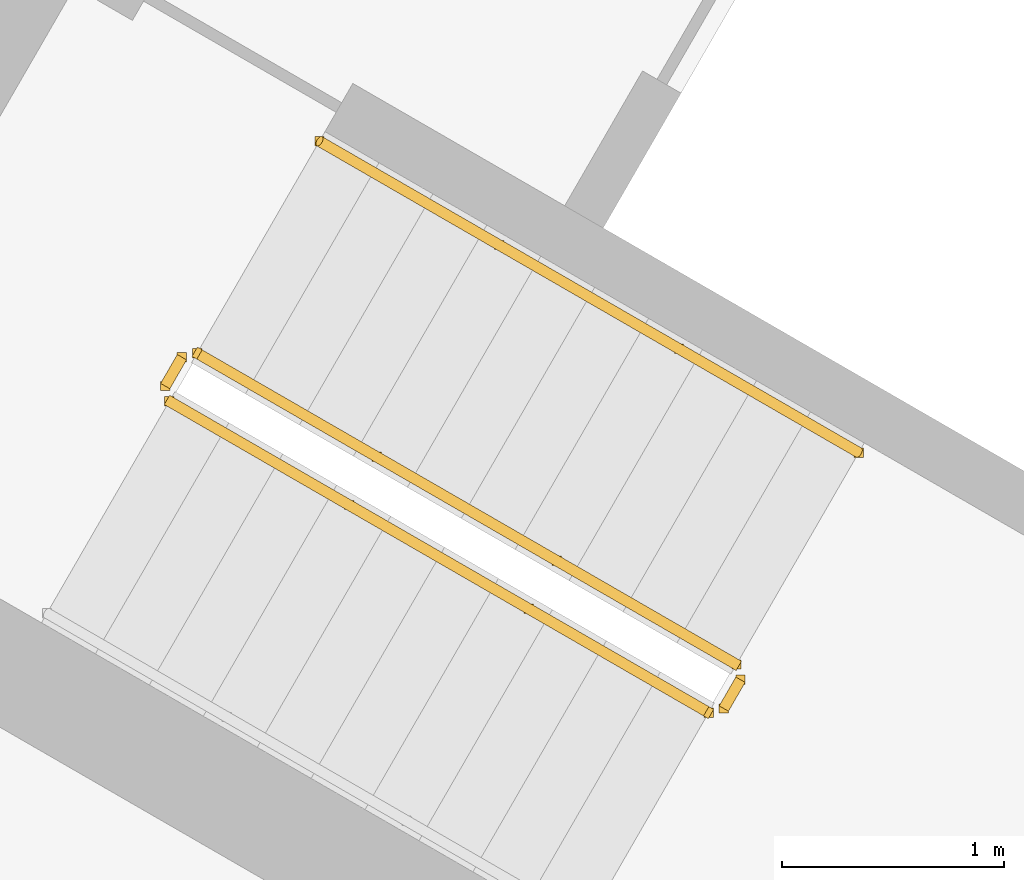
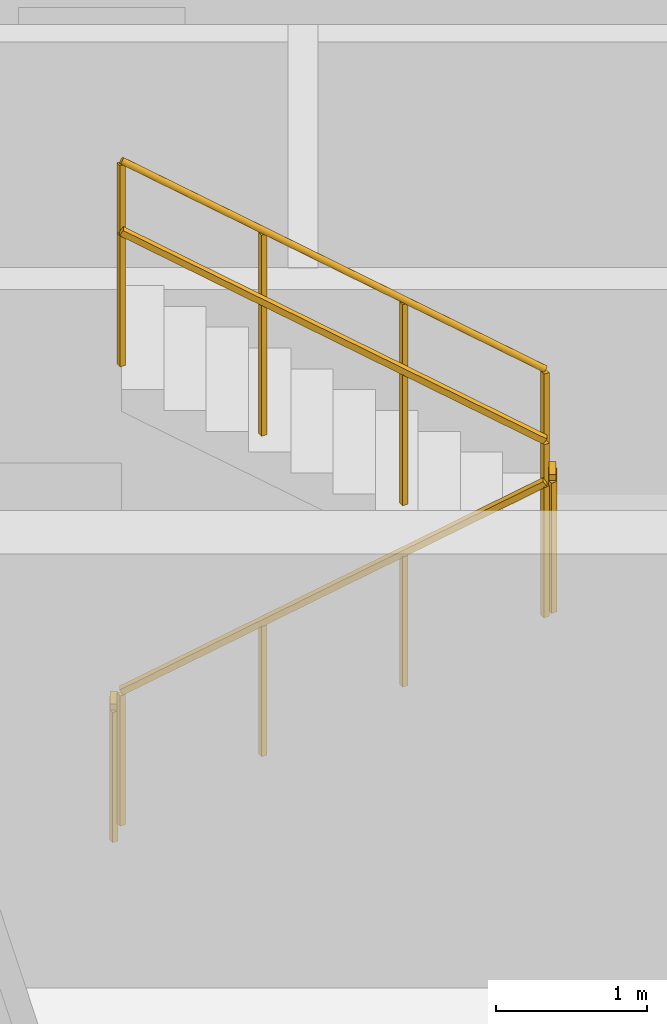
# One storey, part 11 of 13: 5 railings.
"""IFC4 building model written with IfcOpenShell, lengths in metres."""

from ifc_helpers import new_model, si_unit, direction, frame, origin, origin_2d, place, context, subcontext, project, spatial, rectangle, circle, extrude, material, type_object, element, save


model = new_model("IFC4")

# Units and contexts
model_context = context("Model", 3, precision=1e-05, world=origin(), true_north=direction((0.0, 1.0)))
body_context = subcontext(model_context, "Body", "Model", "MODEL_VIEW")
ifc_project = project(units=[si_unit("LENGTHUNIT", "METRE"), si_unit("AREAUNIT", "SQUARE_METRE"), si_unit("VOLUMEUNIT", "CUBIC_METRE"), si_unit("PLANEANGLEUNIT", "RADIAN"), si_unit("MASSUNIT", "GRAM", prefix="KILO")], contexts=[model_context])

# Site, building, storey
site_placement = place(None, origin())
site = spatial("IfcSite", under=ifc_project, at=site_placement, CompositionType="ELEMENT")
building_placement = place(site_placement, origin())
building = spatial("IfcBuilding", under=site, at=building_placement, Name="Apuvela Tower Hotel", CompositionType="ELEMENT")
storey_placement = place(building_placement, frame((0.0, 0.0, 276.300048828125)))
storey = spatial("IfcBuildingStorey", under=building, at=storey_placement, Name="L68", CompositionType="ELEMENT", Elevation=276.300048828125)

# Railings
ifc_material_1 = material(Name="Steel S275 balustrade", Category="steel")
railing_type_1 = type_object("IfcRailingType", Name="COR-GUARD-1100", PredefinedType="GUARDRAIL", material=ifc_material_1)
railing_1_placement = place(storey_placement, frame((10.718994140625, -10.63427734375, 0.168212890625)))
element("IfcRailing", 1, at=railing_1_placement, inside=storey, type_object=railing_type_1, Name="L68 ST3 stair guard 1", PredefinedType="GUARDRAIL", context=body_context, shape_type="SweptSolid", body=[
    extrude(rectangle(XDim=0.048095703125, YDim=0.048095703125, at=origin_2d()), frame((0.0, 0.0, 1.076171875), z_axis=(0.74241905619, -0.428617687091, 0.514879426), x_axis=(0.49998411664, 0.866034573852, 0.0)), (0.0, 0.0, 1.0), 3.26611328125),
    extrude(rectangle(XDim=0.0419921875, YDim=0.0419921875, at=origin_2d()), origin(), (0.0, 0.0, 1.0), 1.052001953125),
    extrude(rectangle(XDim=0.0419921875, YDim=0.0419921875, at=origin_2d()), frame((0.808349609375, -0.466552734375, 0.560546875)), (0.0, 0.0, 1.0), 1.052001953125),
    extrude(rectangle(XDim=0.0419921875, YDim=0.0419921875, at=origin_2d()), frame((1.616455078125, -0.933349609375, 1.12109375)), (0.0, 0.0, 1.0), 1.052001953125),
    extrude(rectangle(XDim=0.0419921875, YDim=0.0419921875, at=origin_2d()), frame((2.4248046875, -1.39990234375, 1.681640625)), (0.0, 0.0, 1.0), 1.052001953125),
])
railing_2_placement = place(storey_placement, frame((13.212158203125, -12.015869140625, 1.849853515625)))
element("IfcRailing", 2, at=railing_2_placement, inside=storey, type_object=railing_type_1, Name="L68 ST3 stair guard 2", PredefinedType="GUARDRAIL", context=body_context, shape_type="SweptSolid", body=[
    extrude(rectangle(XDim=0.048095703125, YDim=0.048095703125, at=origin_2d()), frame((0.0, 0.0, 1.076171875), z_axis=(0.499816412211, 0.866131372301, 0.0), x_axis=(-0.866131372301, 0.499816412211, 0.0)), (0.0, 0.0, 1.0), 0.14990234375),
    extrude(rectangle(XDim=0.0419921875, YDim=0.0419921875, at=origin_2d()), origin(), (0.0, 0.0, 1.0), 1.052001953125),
    extrude(rectangle(XDim=0.0419921875, YDim=0.0419921875, at=origin_2d()), frame((0.074951171875, 0.1298828125, 0.0)), (0.0, 0.0, 1.0), 1.052001953125),
])
railing_3_placement = place(storey_placement, frame((13.268798828125, -11.817626953125, 2.01806640625)))
element("IfcRailing", 3, at=railing_3_placement, inside=storey, type_object=railing_type_1, Name="L68 ST3 stair guard 3", PredefinedType="GUARDRAIL", context=body_context, shape_type="SweptSolid", body=[
    extrude(rectangle(XDim=0.048095703125, YDim=0.048095703125, at=origin_2d()), frame((0.0, 0.0, 1.076171875), z_axis=(-0.742390482028, 0.42860119049, 0.514934356695), x_axis=(-0.49998411664, -0.866034573852, 0.0)), (0.0, 0.0, 1.0), 3.26611328125),
    extrude(rectangle(XDim=0.0419921875, YDim=0.0419921875, at=origin_2d()), origin(), (0.0, 0.0, 1.0), 1.052001953125),
    extrude(rectangle(XDim=0.0419921875, YDim=0.0419921875, at=origin_2d()), frame((-0.808349609375, 0.466552734375, 0.560546875)), (0.0, 0.0, 1.0), 1.052001953125),
    extrude(rectangle(XDim=0.0419921875, YDim=0.0419921875, at=origin_2d()), frame((-1.616455078125, 0.933349609375, 1.121337890625)), (0.0, 0.0, 1.0), 1.052001953125),
    extrude(rectangle(XDim=0.0419921875, YDim=0.0419921875, at=origin_2d()), frame((-2.4248046875, 1.39990234375, 1.681884765625)), (0.0, 0.0, 1.0), 1.052001953125),
])
railing_4_placement = place(storey_placement, frame((10.70068359375, -10.56591796875, 0.0)))
element("IfcRailing", 4, at=railing_4_placement, inside=storey, type_object=railing_type_1, Name="L68 ST3 stair guard 4", PredefinedType="GUARDRAIL", context=body_context, shape_type="SweptSolid", body=[
    extrude(rectangle(XDim=0.048095703125, YDim=0.048095703125, at=origin_2d()), frame((0.0, 0.0, 1.076171875), z_axis=(0.499816412211, 0.866131372301, 0.0), x_axis=(-0.866131372301, 0.499816412211, 0.0)), (0.0, 0.0, 1.0), 0.14990234375),
    extrude(rectangle(XDim=0.0419921875, YDim=0.0419921875, at=origin_2d()), origin(), (0.0, 0.0, 1.0), 1.052001953125),
    extrude(rectangle(XDim=0.0419921875, YDim=0.0419921875, at=origin_2d()), frame((0.074951171875, 0.1298828125, 0.0)), (0.0, 0.0, 1.0), 1.052001953125),
])
ifc_material_2 = material(Name="Stainless steel 316 handrail", Category="steel")
railing_type_2 = type_object("IfcRailingType", Name="COR-HANDRAIL-900", PredefinedType="HANDRAIL", material=ifc_material_2)
railing_5_placement = place(storey_placement, frame((13.81884765625, -10.864990234375, 2.01806640625)))
element("IfcRailing", 5, at=railing_5_placement, inside=storey, type_object=railing_type_2, Name="L68 ST3 stair handrail 2", PredefinedType="HANDRAIL", context=body_context, shape_type="SweptSolid", body=[
    extrude(circle(Radius=0.02392578125, at=origin_2d()), frame((0.0, 0.0, 0.8759765625), z_axis=(-0.742390482028, 0.42860119049, 0.514934356695), x_axis=(-0.49998411664, -0.866034573852, 0.0)), (0.0, 0.0, 1.0), 3.26611328125),
    extrude(rectangle(XDim=0.0419921875, YDim=0.0419921875, at=origin_2d()), origin(), (0.0, 0.0, 1.0), 0.851806640625),
    extrude(rectangle(XDim=0.0419921875, YDim=0.0419921875, at=origin_2d()), frame((-0.808349609375, 0.466552734375, 0.560546875)), (0.0, 0.0, 1.0), 0.851806640625),
    extrude(rectangle(XDim=0.0419921875, YDim=0.0419921875, at=origin_2d()), frame((-1.616455078125, 0.933349609375, 1.121337890625)), (0.0, 0.0, 1.0), 0.851806640625),
    extrude(rectangle(XDim=0.0419921875, YDim=0.0419921875, at=origin_2d()), frame((-2.4248046875, 1.39990234375, 1.681884765625)), (0.0, 0.0, 1.0), 0.851806640625),
])

save(model, "model.ifc")
